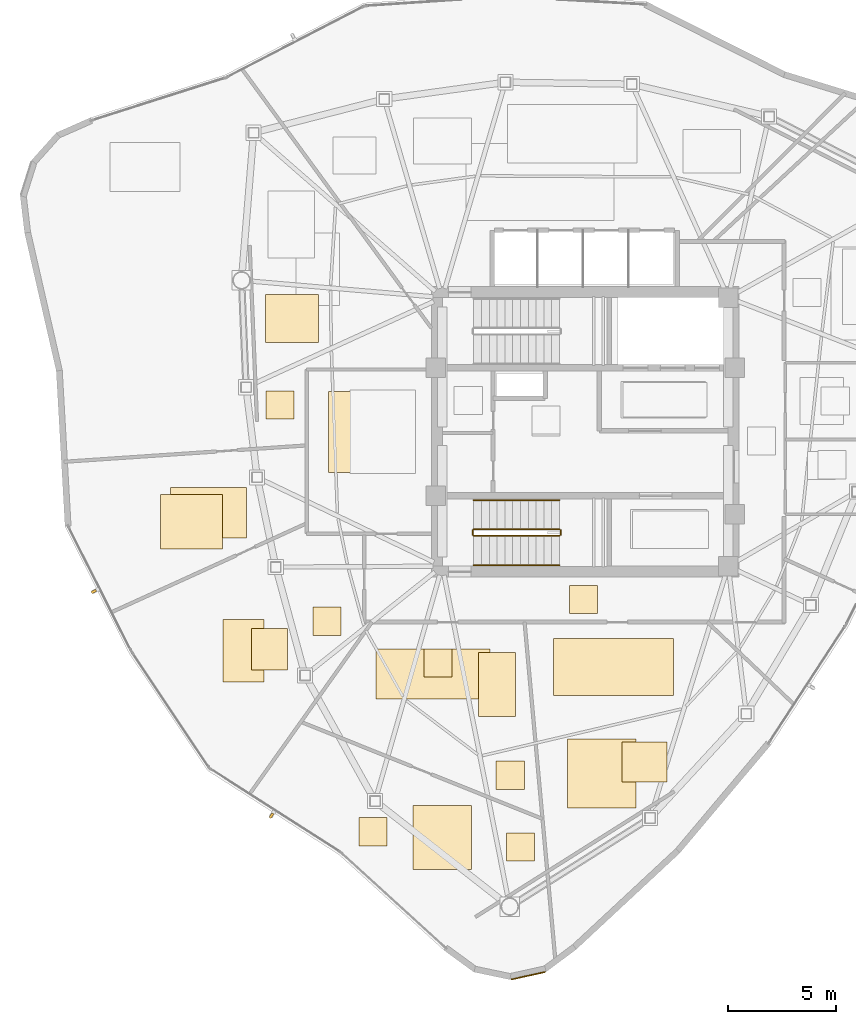
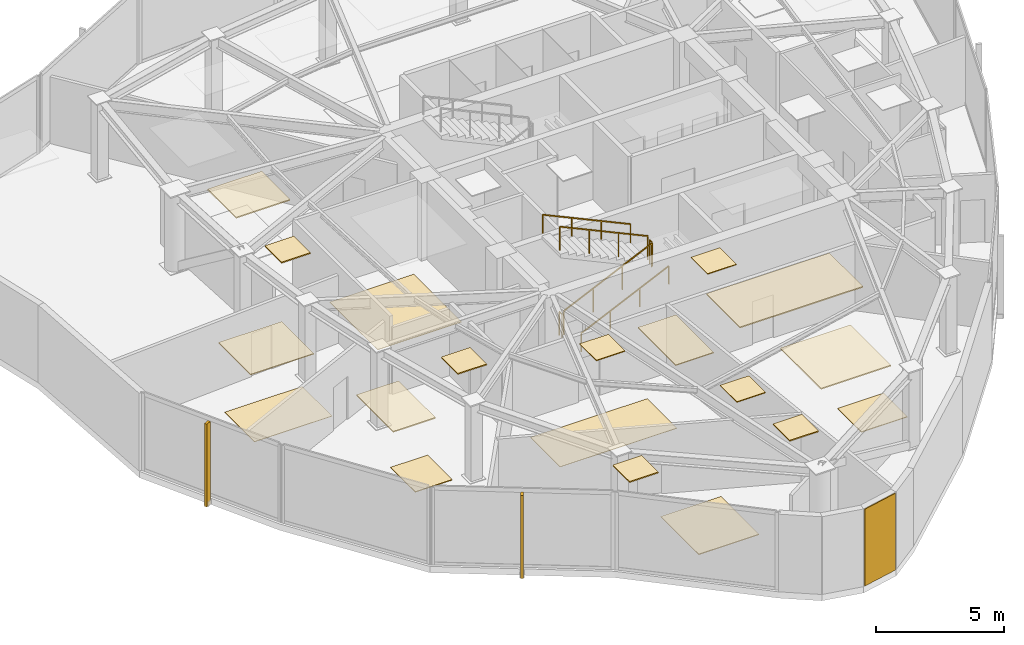
# One storey, part 11 of 13: 20 coverings, 6 railings, 2 shading devices.
"""IFC4 building model written with IfcOpenShell, lengths in metres."""

from ifc_helpers import new_model, si_unit, direction, frame, origin, origin_2d, place, context, subcontext, project, spatial, polyline, rectangle, outline, extrude, source, transform, mapped, material, layer, layer_set, type_object, type_shapes, element, save


model = new_model("IFC4")

# Units and contexts
model_context = context("Model", 3, precision=1e-05, world=origin(), true_north=direction((0.0, 1.0)))
body_context = subcontext(model_context, "Body", "Model", "MODEL_VIEW")
ifc_project = project(units=[si_unit("LENGTHUNIT", "METRE"), si_unit("AREAUNIT", "SQUARE_METRE"), si_unit("VOLUMEUNIT", "CUBIC_METRE"), si_unit("PLANEANGLEUNIT", "RADIAN"), si_unit("MASSUNIT", "GRAM", prefix="KILO")], contexts=[model_context])

# Site, building, storey
site_placement = place(None, origin())
site = spatial("IfcSite", under=ifc_project, at=site_placement, CompositionType="ELEMENT")
building_placement = place(site_placement, origin())
building = spatial("IfcBuilding", under=site, at=building_placement, Name="Tavelor Broadcast Tower", CompositionType="ELEMENT")
storey_placement = place(building_placement, frame((0.0, 0.0, 297.5)))
storey = spatial("IfcBuildingStorey", under=building, at=storey_placement, Name="L71", CompositionType="ELEMENT", Elevation=297.5)

# Covering
ifc_material_1 = material(Name="Copper-Bronze Anodized Aluminium", Category="aluminium")
ifc_layer_1 = layer(ifc_material_1, 0.050048828125)
ifc_layer_set_1 = layer_set([ifc_layer_1], Name="Copper-Bronze Anodized Aluminium")
covering_type_1 = type_object("IfcCoveringType", Name="Champagne-Bronze Corner Pier Metal Cladding 50 mm", PredefinedType="CLADDING", material=ifc_layer_set_1)
covering_1_placement = place(storey_placement, frame((47.3701171875, 19.897216796875, 0.02001953125), z_axis=(0.0, 0.0, 1.0), x_axis=(0.976484514545, 0.215587552642, 0.0)))
element("IfcCovering", 1, at=covering_1_placement, inside=storey, type_object=covering_type_1, Name="L71 Champagne-Bronze Corner Cladding 13", PredefinedType="CLADDING", context=body_context, shape_type="SweptSolid", body=[
    extrude(rectangle(XDim=1.615966796875, YDim=0.050048828125, at=origin_2d()), origin(), (0.0, 0.0, 1.0), 3.659912109375),
])

# Railings
ifc_material_2 = material(Name="Steel S355", Category="steel")
railing_type_1 = type_object("IfcRailingType", Name="Continuous Brushed Stainless Handrail 900 mm", PredefinedType="HANDRAIL", material=ifc_material_2)
railing_1_placement = place(storey_placement, frame((44.85009765625, 38.85009765625, 0.166748046875)))
element("IfcRailing", 2, at=railing_1_placement, inside=storey, type_object=railing_type_1, Name="L71 ST2 stair handrail 1", PredefinedType="HANDRAIL", context=body_context, shape_type="SweptSolid", body=[
    extrude(rectangle(XDim=0.048095703125, YDim=0.048095703125, at=origin_2d()), frame((0.0, 0.0, 0.8759765625), z_axis=(0.907472437036, 0.0, 0.420111623286), x_axis=(0.0, 1.0, 0.0)), (0.0, 0.0, 1.0), 4.36376953125),
    extrude(rectangle(XDim=0.0419921875, YDim=0.0419921875, at=origin_2d()), origin(), (0.0, 0.0, 1.0), 0.851806640625),
    extrude(rectangle(XDim=0.0419921875, YDim=0.0419921875, at=origin_2d()), frame((1.320068359375, 0.0, 0.611083984375)), (0.0, 0.0, 1.0), 0.851806640625),
    extrude(rectangle(XDim=0.0419921875, YDim=0.0419921875, at=origin_2d()), frame((2.639892578125, 0.0, 1.22216796875)), (0.0, 0.0, 1.0), 0.851806640625),
    extrude(rectangle(XDim=0.0419921875, YDim=0.0419921875, at=origin_2d()), frame((3.9599609375, 0.0, 1.833251953125)), (0.0, 0.0, 1.0), 0.851806640625),
])
railing_2_placement = place(storey_placement, frame((48.81005859375, 41.85009765625, 2.166748046875)))
element("IfcRailing", 3, at=railing_2_placement, inside=storey, type_object=railing_type_1, Name="L71 ST2 stair handrail 2", PredefinedType="HANDRAIL", context=body_context, shape_type="SweptSolid", body=[
    extrude(rectangle(XDim=0.048095703125, YDim=0.048095703125, at=origin_2d()), frame((0.0, 0.0, 0.8759765625), z_axis=(-0.907472437036, 0.0, 0.420111623286), x_axis=(0.0, -1.0, 0.0)), (0.0, 0.0, 1.0), 4.36376953125),
    extrude(rectangle(XDim=0.0419921875, YDim=0.0419921875, at=origin_2d()), origin(), (0.0, 0.0, 1.0), 0.851806640625),
    extrude(rectangle(XDim=0.0419921875, YDim=0.0419921875, at=origin_2d()), frame((-1.320068359375, 0.0, 0.611083984375)), (0.0, 0.0, 1.0), 0.851806640625),
    extrude(rectangle(XDim=0.0419921875, YDim=0.0419921875, at=origin_2d()), frame((-2.639892578125, 0.0, 1.22216796875)), (0.0, 0.0, 1.0), 0.851806640625),
    extrude(rectangle(XDim=0.0419921875, YDim=0.0419921875, at=origin_2d()), frame((-3.9599609375, 0.0, 1.833251953125)), (0.0, 0.0, 1.0), 0.851806640625),
])

# Coverings
ifc_material_3 = material(Name="Architectural Anodized Aluminium", Category="aluminium")
ifc_layer_2 = layer(ifc_material_3, 0.034912109375)
ifc_layer_set_2 = layer_set([ifc_layer_2], Name="Architectural Anodized Aluminium")
covering_type_2 = type_object("IfcCoveringType", Name="Demountable Metal Tile Corridor Ceiling 35 mm", PredefinedType="CEILING", material=ifc_layer_set_2)
covering_2_placement = place(storey_placement, frame((0.0, 0.0, 3.6650390625)))
element("IfcCovering", 4, at=covering_2_placement, inside=storey, type_object=covering_type_2, Name="L71 Suspended Acoustic Ceiling 2706", PredefinedType="CEILING", context=body_context, shape_type="SweptSolid", body=[
    extrude(outline(polyline([(49.261474609375, 36.610107421875), (50.5615234375, 36.610107421875), (50.5615234375, 37.909912109375), (49.261474609375, 37.909912109375), (49.261474609375, 36.610107421875)])), origin(), (0.0, 0.0, 1.0), 0.034912109375),
])
ifc_material_4 = material(Name="Acoustic Nylon Carpet Tile")
ifc_layer_3 = layer(ifc_material_4, 0.02001953125)
ifc_layer_set_3 = layer_set([ifc_layer_3], Name="Acoustic Nylon Carpet Tile")
covering_type_3 = type_object("IfcCoveringType", Name="Heavy-Duty Acoustic Broadcast Carpet Tile 20 mm", PredefinedType="FLOORING", material=ifc_layer_set_3)
covering_3_placement = place(storey_placement, origin())
element("IfcCovering", 5, at=covering_3_placement, inside=storey, type_object=covering_type_3, Name="L71 Broadcast Floor Finish 1058", PredefinedType="FLOORING", context=body_context, shape_type="SweptSolid", body=[
    extrude(outline(polyline([(38.15771484375, 43.12890625), (41.942138671875, 43.12890625), (41.942138671875, 46.87060546875), (38.15771484375, 46.87060546875), (38.15771484375, 43.12890625)])), origin(), (0.0, 0.0, 1.0), 0.02001953125),
])
covering_4_placement = place(storey_placement, origin())
element("IfcCovering", 6, at=covering_4_placement, inside=storey, type_object=covering_type_3, Name="L71 Broadcast Floor Finish 1064", PredefinedType="FLOORING", context=body_context, shape_type="SweptSolid", body=[
    extrude(outline(polyline([(30.86328125, 40.106689453125), (34.362060546875, 40.106689453125), (34.362060546875, 42.42919921875), (30.86328125, 42.42919921875), (30.86328125, 40.106689453125)])), origin(), (0.0, 0.0, 1.0), 0.02001953125),
])
covering_5_placement = place(storey_placement, origin())
element("IfcCovering", 7, at=covering_5_placement, inside=storey, type_object=covering_type_3, Name="L71 Broadcast Floor Finish 1068", PredefinedType="FLOORING", context=body_context, shape_type="SweptSolid", body=[
    extrude(outline(polyline([(40.340576171875, 32.6669921875), (45.59814453125, 32.6669921875), (45.59814453125, 34.983154296875), (40.340576171875, 34.983154296875), (40.340576171875, 32.6669921875)])), origin(), (0.0, 0.0, 1.0), 0.02001953125),
])
ifc_material_5 = material(Name="Acoustic Hardwood Studio Flooring", Category="wood")
ifc_layer_4 = layer(ifc_material_5, 0.034912109375)
ifc_layer_set_4 = layer_set([ifc_layer_4], Name="Acoustic Hardwood Studio Flooring")
covering_type_4 = type_object("IfcCoveringType", Name="Isolated Studio Acoustic Elastomeric Floor Finish 35 mm", PredefinedType="FLOORING", material=ifc_layer_set_4)
covering_6_placement = place(storey_placement, origin())
element("IfcCovering", 8, at=covering_6_placement, inside=storey, type_object=covering_type_4, Name="L71 Broadcast Floor Finish 1061", PredefinedType="FLOORING", context=body_context, shape_type="SweptSolid", body=[
    extrude(outline(polyline([(51.693115234375, 28.8330078125), (53.765869140625, 28.8330078125), (53.765869140625, 30.67919921875), (51.693115234375, 30.67919921875), (51.693115234375, 28.8330078125)])), origin(), (0.0, 0.0, 1.0), 0.034912109375),
])
covering_7_placement = place(storey_placement, origin())
element("IfcCovering", 9, at=covering_7_placement, inside=storey, type_object=covering_type_4, Name="L71 Broadcast Floor Finish 1062", PredefinedType="FLOORING", context=body_context, shape_type="SweptSolid", body=[
    extrude(outline(polyline([(42.037353515625, 24.79638671875), (44.75439453125, 24.79638671875), (44.75439453125, 27.763916015625), (42.037353515625, 27.763916015625), (42.037353515625, 24.79638671875)])), origin(), (0.0, 0.0, 1.0), 0.034912109375),
])
covering_8_placement = place(storey_placement, origin())
element("IfcCovering", 10, at=covering_8_placement, inside=storey, type_object=covering_type_4, Name="L71 Broadcast Floor Finish 1063", PredefinedType="FLOORING", context=body_context, shape_type="SweptSolid", body=[
    extrude(outline(polyline([(34.58544921875, 34.00390625), (36.24951171875, 34.00390625), (36.24951171875, 35.927978515625), (34.58544921875, 35.927978515625), (34.58544921875, 34.00390625)])), origin(), (0.0, 0.0, 1.0), 0.034912109375),
])
ifc_material_6 = material(Name="Acoustic Perforated Timber Baffle", Category="wood")
ifc_layer_5 = layer(ifc_material_6, 0.054931640625)
ifc_layer_set_5 = layer_set([ifc_layer_5], Name="Acoustic Perforated Timber Baffle")
covering_type_5 = type_object("IfcCoveringType", Name="Micro-Perforated Acoustic Baffle Studio Ceiling 55 mm", PredefinedType="CEILING", material=ifc_layer_set_5)
covering_9_placement = place(storey_placement, frame((0.0, 0.0, 3.64501953125)))
element("IfcCovering", 11, at=covering_9_placement, inside=storey, type_object=covering_type_5, Name="L71 Suspended Acoustic Ceiling 2710", PredefinedType="CEILING", context=body_context, shape_type="SweptSolid", body=[
    extrude(outline(polyline([(49.19140625, 27.648681640625), (52.345703125, 27.648681640625), (52.345703125, 30.817626953125), (49.19140625, 30.817626953125), (49.19140625, 27.648681640625)])), origin(), (0.0, 0.0, 1.0), 0.054931640625),
])
covering_10_placement = place(storey_placement, frame((0.0, 0.0, 3.64501953125)))
element("IfcCovering", 12, at=covering_10_placement, inside=storey, type_object=covering_type_5, Name="L71 Suspended Acoustic Ceiling 2711", PredefinedType="CEILING", context=body_context, shape_type="SweptSolid", body=[
    extrude(outline(polyline([(48.537109375, 32.836181640625), (54.077880859375, 32.836181640625), (54.077880859375, 35.46240234375), (48.537109375, 35.46240234375), (48.537109375, 32.836181640625)])), origin(), (0.0, 0.0, 1.0), 0.054931640625),
])
covering_11_placement = place(storey_placement, frame((0.0, 0.0, 3.64501953125)))
element("IfcCovering", 13, at=covering_11_placement, inside=storey, type_object=covering_type_5, Name="L71 Suspended Acoustic Ceiling 2712", PredefinedType="CEILING", context=body_context, shape_type="SweptSolid", body=[
    extrude(outline(polyline([(39.554443359375, 25.8955078125), (40.8544921875, 25.8955078125), (40.8544921875, 27.195556640625), (39.554443359375, 27.195556640625), (39.554443359375, 25.8955078125)])), origin(), (0.0, 0.0, 1.0), 0.054931640625),
])
covering_12_placement = place(storey_placement, frame((0.0, 0.0, 3.64501953125)))
element("IfcCovering", 14, at=covering_12_placement, inside=storey, type_object=covering_type_5, Name="L71 Suspended Acoustic Ceiling 2713", PredefinedType="CEILING", context=body_context, shape_type="SweptSolid", body=[
    extrude(outline(polyline([(46.36865234375, 25.19384765625), (47.668701171875, 25.19384765625), (47.668701171875, 26.493896484375), (46.36865234375, 26.493896484375), (46.36865234375, 25.19384765625)])), origin(), (0.0, 0.0, 1.0), 0.054931640625),
])
covering_13_placement = place(storey_placement, frame((0.0, 0.0, 3.64501953125)))
element("IfcCovering", 15, at=covering_13_placement, inside=storey, type_object=covering_type_5, Name="L71 Suspended Acoustic Ceiling 2714", PredefinedType="CEILING", context=body_context, shape_type="SweptSolid", body=[
    extrude(outline(polyline([(33.28125, 33.45556640625), (35.178466796875, 33.45556640625), (35.178466796875, 36.330810546875), (33.28125, 36.330810546875), (33.28125, 33.45556640625)])), origin(), (0.0, 0.0, 1.0), 0.054931640625),
])
covering_14_placement = place(storey_placement, frame((0.0, 0.0, 3.64501953125)))
element("IfcCovering", 16, at=covering_14_placement, inside=storey, type_object=covering_type_5, Name="L71 Suspended Acoustic Ceiling 2715", PredefinedType="CEILING", context=body_context, shape_type="SweptSolid", body=[
    extrude(outline(polyline([(37.431884765625, 35.605712890625), (38.731689453125, 35.605712890625), (38.731689453125, 36.90576171875), (37.431884765625, 36.90576171875), (37.431884765625, 35.605712890625)])), origin(), (0.0, 0.0, 1.0), 0.054931640625),
])
covering_15_placement = place(storey_placement, frame((0.0, 0.0, 3.64501953125)))
element("IfcCovering", 17, at=covering_15_placement, inside=storey, type_object=covering_type_5, Name="L71 Suspended Acoustic Ceiling 2719", PredefinedType="CEILING", context=body_context, shape_type="SweptSolid", body=[
    extrude(outline(polyline([(35.258056640625, 45.597412109375), (36.55810546875, 45.597412109375), (36.55810546875, 46.8974609375), (35.258056640625, 46.8974609375), (35.258056640625, 45.597412109375)])), origin(), (0.0, 0.0, 1.0), 0.054931640625),
])
covering_16_placement = place(storey_placement, frame((0.0, 0.0, 3.64501953125)))
element("IfcCovering", 18, at=covering_16_placement, inside=storey, type_object=covering_type_5, Name="L71 Suspended Acoustic Ceiling 2720", PredefinedType="CEILING", context=body_context, shape_type="SweptSolid", body=[
    extrude(outline(polyline([(35.247314453125, 49.128173828125), (37.681884765625, 49.128173828125), (37.681884765625, 51.351318359375), (35.247314453125, 51.351318359375), (35.247314453125, 49.128173828125)])), origin(), (0.0, 0.0, 1.0), 0.054931640625),
])

# Railings
railing_type_2 = type_object("IfcRailingType", Name="Stairwell Steel Safety Guardrail 1150 mm", PredefinedType="GUARDRAIL", material=ifc_material_2)
railing_3_placement = place(storey_placement, frame((44.85009765625, 40.199951171875, 0.166748046875)))
element("IfcRailing", 19, at=railing_3_placement, inside=storey, type_object=railing_type_2, Name="L71 ST2 stair guard 1", PredefinedType="GUARDRAIL", context=body_context, shape_type="SweptSolid", body=[
    extrude(rectangle(XDim=0.048095703125, YDim=0.048095703125, at=origin_2d()), frame((0.0, 0.0, 1.1259765625), z_axis=(0.907472437036, 0.0, 0.420111623286), x_axis=(0.0, 1.0, 0.0)), (0.0, 0.0, 1.0), 4.36376953125),
    extrude(rectangle(XDim=0.0419921875, YDim=0.0419921875, at=origin_2d()), origin(), (0.0, 0.0, 1.0), 1.101806640625),
    extrude(rectangle(XDim=0.0419921875, YDim=0.0419921875, at=origin_2d()), frame((1.320068359375, 0.0, 0.611083984375)), (0.0, 0.0, 1.0), 1.101806640625),
    extrude(rectangle(XDim=0.0419921875, YDim=0.0419921875, at=origin_2d()), frame((2.639892578125, 0.0, 1.22216796875)), (0.0, 0.0, 1.0), 1.101806640625),
    extrude(rectangle(XDim=0.0419921875, YDim=0.0419921875, at=origin_2d()), frame((3.9599609375, 0.0, 1.833251953125)), (0.0, 0.0, 1.0), 1.101806640625),
])
railing_4_placement = place(storey_placement, frame((48.860107421875, 40.25, 2.0)))
element("IfcRailing", 20, at=railing_4_placement, inside=storey, type_object=railing_type_2, Name="L71 ST2 stair guard 2", PredefinedType="GUARDRAIL", context=body_context, shape_type="SweptSolid", body=[
    extrude(rectangle(XDim=0.048095703125, YDim=0.048095703125, at=origin_2d()), frame((0.0, 0.0, 1.1259765625), z_axis=(0.0, 1.0, 0.0), x_axis=(-1.0, 0.0, 0.0)), (0.0, 0.0, 1.0), 0.199951171875),
    extrude(rectangle(XDim=0.0419921875, YDim=0.0419921875, at=origin_2d()), origin(), (0.0, 0.0, 1.0), 1.101806640625),
    extrude(rectangle(XDim=0.0419921875, YDim=0.0419921875, at=origin_2d()), frame((0.0, 0.199951171875, 0.0)), (0.0, 0.0, 1.0), 1.101806640625),
])
railing_5_placement = place(storey_placement, frame((48.81005859375, 40.5, 2.166748046875)))
element("IfcRailing", 21, at=railing_5_placement, inside=storey, type_object=railing_type_2, Name="L71 ST2 stair guard 3", PredefinedType="GUARDRAIL", context=body_context, shape_type="SweptSolid", body=[
    extrude(rectangle(XDim=0.048095703125, YDim=0.048095703125, at=origin_2d()), frame((0.0, 0.0, 1.1259765625), z_axis=(-0.907472437036, 0.0, 0.420111623286), x_axis=(0.0, -1.0, 0.0)), (0.0, 0.0, 1.0), 4.36376953125),
    extrude(rectangle(XDim=0.0419921875, YDim=0.0419921875, at=origin_2d()), origin(), (0.0, 0.0, 1.0), 1.101806640625),
    extrude(rectangle(XDim=0.0419921875, YDim=0.0419921875, at=origin_2d()), frame((-1.320068359375, 0.0, 0.611083984375)), (0.0, 0.0, 1.0), 1.101806640625),
    extrude(rectangle(XDim=0.0419921875, YDim=0.0419921875, at=origin_2d()), frame((-2.639892578125, 0.0, 1.22216796875)), (0.0, 0.0, 1.0), 1.101806640625),
    extrude(rectangle(XDim=0.0419921875, YDim=0.0419921875, at=origin_2d()), frame((-3.9599609375, 0.0, 1.833251953125)), (0.0, 0.0, 1.0), 1.101806640625),
])
railing_6_placement = place(storey_placement, frame((44.800048828125, 40.25, 0.0)))
element("IfcRailing", 22, at=railing_6_placement, inside=storey, type_object=railing_type_2, Name="L71 ST2 stair guard 4", PredefinedType="GUARDRAIL", context=body_context, shape_type="SweptSolid", body=[
    extrude(rectangle(XDim=0.048095703125, YDim=0.048095703125, at=origin_2d()), frame((0.0, 0.0, 1.1259765625), z_axis=(0.0, 1.0, 0.0), x_axis=(-1.0, 0.0, 0.0)), (0.0, 0.0, 1.0), 0.199951171875),
    extrude(rectangle(XDim=0.0419921875, YDim=0.0419921875, at=origin_2d()), origin(), (0.0, 0.0, 1.0), 1.101806640625),
    extrude(rectangle(XDim=0.0419921875, YDim=0.0419921875, at=origin_2d()), frame((0.0, 0.199951171875, 0.0)), (0.0, 0.0, 1.0), 1.101806640625),
])

# Coverings
ifc_material_7 = material(Name="Acoustic Mineral Fibre Tile")
ifc_layer_6 = layer(ifc_material_7, 0.0400390625)
ifc_layer_set_6 = layer_set([ifc_layer_6], Name="Acoustic Mineral Fibre Tile")
covering_type_6 = type_object("IfcCoveringType", Name="Suspended Acoustic Mineral-Fibre Office Ceiling 40 mm", PredefinedType="CEILING", material=ifc_layer_set_6)
covering_17_placement = place(storey_placement, frame((0.0, 0.0, 3.659912109375)))
element("IfcCovering", 23, at=covering_17_placement, inside=storey, type_object=covering_type_6, Name="L71 Suspended Acoustic Ceiling 2716", PredefinedType="CEILING", context=body_context, shape_type="SweptSolid", body=[
    extrude(outline(polyline([(30.3984375, 39.5966796875), (33.24462890625, 39.5966796875), (33.24462890625, 42.103759765625), (30.3984375, 42.103759765625), (30.3984375, 39.5966796875)])), origin(), (0.0, 0.0, 1.0), 0.0400390625),
])
covering_18_placement = place(storey_placement, frame((0.0, 0.0, 3.659912109375)))
element("IfcCovering", 24, at=covering_18_placement, inside=storey, type_object=covering_type_6, Name="L71 Suspended Acoustic Ceiling 2728", PredefinedType="CEILING", context=body_context, shape_type="SweptSolid", body=[
    extrude(outline(polyline([(42.555419921875, 33.6826171875), (43.855224609375, 33.6826171875), (43.855224609375, 34.982666015625), (42.555419921875, 34.982666015625), (42.555419921875, 33.6826171875)])), origin(), (0.0, 0.0, 1.0), 0.0400390625),
])
covering_19_placement = place(storey_placement, frame((0.0, 0.0, 3.659912109375)))
element("IfcCovering", 25, at=covering_19_placement, inside=storey, type_object=covering_type_6, Name="L71 Suspended Acoustic Ceiling 2729", PredefinedType="CEILING", context=body_context, shape_type="SweptSolid", body=[
    extrude(outline(polyline([(45.0791015625, 31.85791015625), (46.79150390625, 31.85791015625), (46.79150390625, 34.812255859375), (45.0791015625, 34.812255859375), (45.0791015625, 31.85791015625)])), origin(), (0.0, 0.0, 1.0), 0.0400390625),
])
covering_20_placement = place(storey_placement, frame((0.0, 0.0, 3.659912109375)))
element("IfcCovering", 26, at=covering_20_placement, inside=storey, type_object=covering_type_6, Name="L71 Suspended Acoustic Ceiling 2730", PredefinedType="CEILING", context=body_context, shape_type="SweptSolid", body=[
    extrude(outline(polyline([(45.890625, 28.499267578125), (47.190673828125, 28.499267578125), (47.190673828125, 29.79931640625), (45.890625, 29.79931640625), (45.890625, 28.499267578125)])), origin(), (0.0, 0.0, 1.0), 0.0400390625),
])

# Shading devices
ifc_material_8 = material(Name="Kiln-Fired Glazed Terracotta", Category="masonry")
shading_device_type = type_object("IfcShadingDeviceType", Name="Extruded Terracotta Baguette Sun-Screen 110x240", PredefinedType="JALOUSIE", material=ifc_material_8)
shared_shape = source(origin(), body_context, "Body", "SweptSolid", [
    extrude(rectangle(XDim=0.110107421875, YDim=0.239990234375, at=origin_2d()), origin(), (0.0, 0.0, 1.0), 3.93994140625),
])
type_shapes(shading_device_type, [shared_shape])
for number, where, z_axis, x_axis, name in (
    (27, (27.317138671875, 37.63525390625, -0.260009765625), (0.0, 0.0, 1.0), (0.451344835704, -0.892349617181, 0.0), "L71 Terracotta Baguette Fin 697"),
    (28, (35.515380859375, 27.284912109375, -0.260009765625), (0.0, 0.0, 1.0), (0.842076058773, -0.539358796389, 0.0), "L71 Terracotta Baguette Fin 698"),
):
    element("IfcShadingDevice", number, at=place(storey_placement, frame(where, z_axis=z_axis, x_axis=x_axis)), inside=storey, type_object=shading_device_type, Name=name, PredefinedType="JALOUSIE", context=body_context, shape_type="MappedRepresentation", body=[
        mapped(shared_shape, transform((0.0, 0.0, 0.0), scale=1.0)),
    ])

save(model, "model.ifc")
